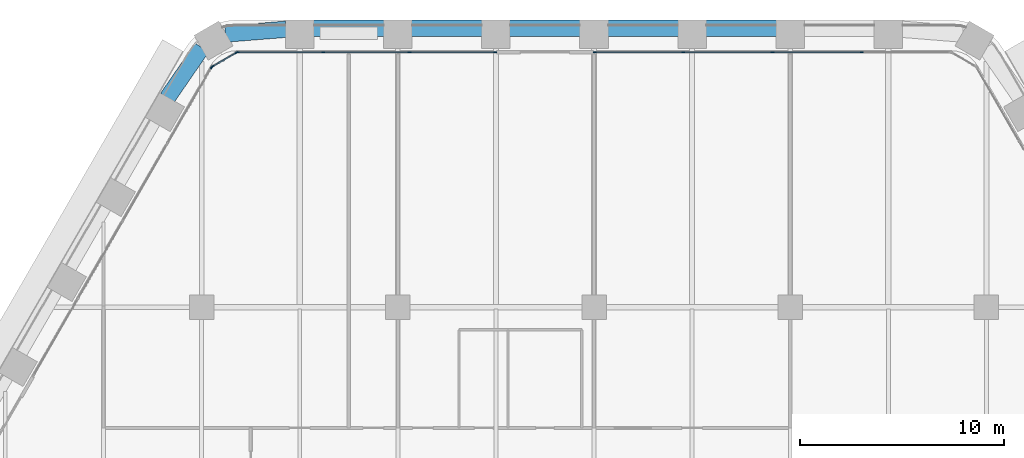
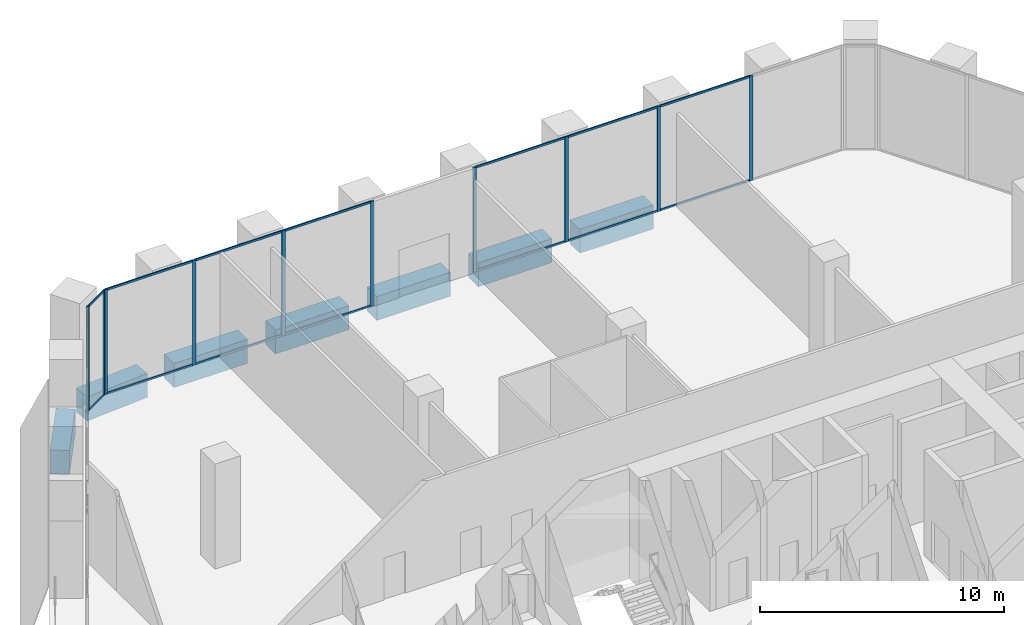
# One storey, part 13 of 27: 25 members, 7 beams, 4 elements without a shape of their own.
"""IFC4 building model written with IfcOpenShell, lengths in metres."""

from ifc_helpers import new_model, si_unit, direction, frame, origin, origin_2d, place, context, subcontext, project, spatial, rectangle, extrude, material, material_profile, profile_set, type_object, element, aggregate, save


model = new_model("IFC4")

# Units and contexts
model_context = context("Model", 3, precision=1e-05, world=origin(), true_north=direction((0.0, 1.0)))
body_context = subcontext(model_context, "Body", "Model", "MODEL_VIEW")
ifc_project = project(units=[si_unit("LENGTHUNIT", "METRE"), si_unit("AREAUNIT", "SQUARE_METRE"), si_unit("VOLUMEUNIT", "CUBIC_METRE"), si_unit("PLANEANGLEUNIT", "RADIAN"), si_unit("MASSUNIT", "GRAM", prefix="KILO")], contexts=[model_context])

# Site, building, storey
site_placement = place(None, origin())
site = spatial("IfcSite", under=ifc_project, at=site_placement, CompositionType="ELEMENT")
building_placement = place(site_placement, origin())
building = spatial("IfcBuilding", under=site, at=building_placement, Name="Kolab Exchange Tower", CompositionType="ELEMENT")
storey_placement = place(building_placement, frame((0.0, 0.0, 49.89990234375)))
storey = spatial("IfcBuildingStorey", under=building, at=storey_placement, Name="L09", CompositionType="ELEMENT", Elevation=49.89990234375)

# Beams
ifc_material_1 = material(Name="Concrete C80/95", Category="concrete")
ifc_material_profile_1 = material_profile(ifc_material_1, rectangle(XDim=0.800048828125, YDim=1.199951171875, at=origin_2d()), Name="RC800X1200")
ifc_profile_set_1 = profile_set([ifc_material_profile_1], Name="Concrete C80/95")
beam_type = type_object("IfcBeamType", Name="SPANDREL BEAM 800X1200 C80/95", PredefinedType="BEAM", material=ifc_profile_set_1)
beam_1_placement = place(storey_placement, frame((-18.03515625, 32.5654296875, -0.849853515625), z_axis=(0.996833978278, 0.07951112973, 0.0), x_axis=(-0.07951112973, 0.996833978278, 0.0)))
element("IfcBeam", 1, at=beam_1_placement, inside=storey, type_object=beam_type, Name="beam/L09/sp/F1-01", PredefinedType="BEAM", context=body_context, shape_type="SweptSolid", body=[
    extrude(rectangle(XDim=0.800048828125, YDim=1.199951171875, at=origin_2d()), origin(), (0.0, 0.0, 1.0), 2.984619140625),
])
for number, where, z_axis, x_axis, name in (
    (2, (-13.739990234375, 32.85546875, -0.849853515625), (1.0, 0.0, 0.0), (0.0, 1.0, 0.0), "beam/L09/sp/F1-02"),
    (3, (-8.93994140625, 32.85546875, -0.849853515625), (1.0, 0.0, 0.0), (0.0, 1.0, 0.0), "beam/L09/sp/F1-03"),
    (4, (-4.139892578125, 32.85546875, -0.849853515625), (1.0, 0.0, 0.0), (0.0, 1.0, 0.0), "beam/L09/sp/F1-04"),
    (5, (0.659912109375, 32.85546875, -0.849853515625), (1.0, 0.0, 0.0), (0.0, 1.0, 0.0), "beam/L09/sp/F1-05"),
    (6, (5.4599609375, 32.85546875, -0.849853515625), (1.0, 0.0, 0.0), (0.0, 1.0, 0.0), "beam/L09/sp/F1-06"),
):
    element("IfcBeam", number, at=place(storey_placement, frame(where, z_axis=z_axis, x_axis=x_axis)), inside=storey, type_object=beam_type, Name=name, PredefinedType="BEAM", context=body_context, shape_type="SweptSolid", body=[
        extrude(rectangle(XDim=0.800048828125, YDim=1.199951171875, at=origin_2d()), origin(), (0.0, 0.0, 1.0), 3.47998046875),
    ])
beam_2_placement = place(storey_placement, frame((-20.8779296875, 29.44384765625, -0.849853515625), z_axis=(0.567247290755, 0.823547516013, 0.0), x_axis=(-0.823547516013, 0.567247290755, 0.0)))
element("IfcBeam", 7, at=beam_2_placement, inside=storey, type_object=beam_type, Name="beam/L09/sp/F6-08", PredefinedType="BEAM", context=body_context, shape_type="SweptSolid", body=[
    extrude(rectangle(XDim=0.800048828125, YDim=1.199951171875, at=origin_2d()), origin(), (0.0, 0.0, 1.0), 2.984375),
])

# Curtain wall, members
ifc_material_2 = material(Name="Aluminium EN AW-6063 T6", Category="aluminium")
curtain_wall_type = type_object("IfcCurtainWallType", Name="UNITISED LOW ZONE CURTAIN WALL", PredefinedType="NOTDEFINED", material=ifc_material_2)
curtain_wall_1_placement = place(storey_placement, origin())
curtain_wall_1 = element("IfcCurtainWall", 8, at=curtain_wall_1_placement, inside=storey, type_object=curtain_wall_type, Name="cw/L09/F1-1", PredefinedType="NOTDEFINED")
ifc_material_profile_2 = material_profile(ifc_material_2, rectangle(XDim=0.06005859375, YDim=0.159912109375, at=origin_2d()), Name="RECT 60X160")
ifc_profile_set_2 = profile_set([ifc_material_profile_2], Name="Aluminium EN AW-6063 T6")
member_type_1 = type_object("IfcMemberType", Name="UNITISED LOW ZONE MULLION 60 X 160", PredefinedType="MULLION", material=ifc_profile_set_2)
member_1_placement = place(storey_placement, frame((-17.43798828125, 31.67529296875, 0.0), z_axis=(0.0, 0.0, 1.0), x_axis=(0.0, 1.0, 0.0)))
member_1 = element("IfcMember", 9, at=member_1_placement, type_object=member_type_1, Name="CW1 mullion 1", PredefinedType="MULLION", context=body_context, shape_type="SweptSolid", body=[
    extrude(rectangle(XDim=0.06005859375, YDim=0.159912109375, at=origin_2d()), origin(), (0.0, 0.0, 1.0), 5.25),
])
member_2_placement = place(storey_placement, frame((-13.245361328125, 31.67529296875, 0.0), z_axis=(0.0, 0.0, 1.0), x_axis=(0.0, 1.0, 0.0)))
member_2 = element("IfcMember", 10, at=member_2_placement, type_object=member_type_1, Name="CW1 mullion 2", PredefinedType="MULLION", context=body_context, shape_type="SweptSolid", body=[
    extrude(rectangle(XDim=0.06005859375, YDim=0.159912109375, at=origin_2d()), origin(), (0.0, 0.0, 1.0), 5.25),
])
member_3_placement = place(storey_placement, frame((-9.022705078125, 31.67529296875, 0.0), z_axis=(0.0, 0.0, 1.0), x_axis=(0.0, 1.0, 0.0)))
member_3 = element("IfcMember", 11, at=member_3_placement, type_object=member_type_1, Name="CW1 mullion 3", PredefinedType="MULLION", context=body_context, shape_type="SweptSolid", body=[
    extrude(rectangle(XDim=0.06005859375, YDim=0.159912109375, at=origin_2d()), origin(), (0.0, 0.0, 1.0), 5.25),
])
member_4_placement = place(storey_placement, frame((-4.830078125, 31.67529296875, 0.0), z_axis=(0.0, 0.0, 1.0), x_axis=(0.0, 1.0, 0.0)))
member_4 = element("IfcMember", 12, at=member_4_placement, type_object=member_type_1, Name="CW1 mullion 4", PredefinedType="MULLION", context=body_context, shape_type="SweptSolid", body=[
    extrude(rectangle(XDim=0.06005859375, YDim=0.159912109375, at=origin_2d()), origin(), (0.0, 0.0, 1.0), 5.25),
])

curtain_wall_2_placement = place(storey_placement, origin())
curtain_wall_2 = element("IfcCurtainWall", 13, at=curtain_wall_2_placement, inside=storey, type_object=curtain_wall_type, Name="cw/L09/F1-2", PredefinedType="NOTDEFINED")
member_5_placement = place(storey_placement, frame((0.030029296875, 31.67529296875, 0.0), z_axis=(0.0, 0.0, 1.0), x_axis=(0.0, 1.0, 0.0)))
member_5 = element("IfcMember", 14, at=member_5_placement, type_object=member_type_1, Name="CW1 mullion 1", PredefinedType="MULLION", context=body_context, shape_type="SweptSolid", body=[
    extrude(rectangle(XDim=0.06005859375, YDim=0.159912109375, at=origin_2d()), origin(), (0.0, 0.0, 1.0), 5.25),
])
member_6_placement = place(storey_placement, frame((4.366943359375, 31.67529296875, 0.0), z_axis=(0.0, 0.0, 1.0), x_axis=(0.0, 1.0, 0.0)))
member_6 = element("IfcMember", 15, at=member_6_placement, type_object=member_type_1, Name="CW1 mullion 2", PredefinedType="MULLION", context=body_context, shape_type="SweptSolid", body=[
    extrude(rectangle(XDim=0.06005859375, YDim=0.159912109375, at=origin_2d()), origin(), (0.0, 0.0, 1.0), 5.25),
])
member_7_placement = place(storey_placement, frame((8.73388671875, 31.67529296875, 0.0), z_axis=(0.0, 0.0, 1.0), x_axis=(0.0, 1.0, 0.0)))
member_7 = element("IfcMember", 16, at=member_7_placement, type_object=member_type_1, Name="CW1 mullion 3", PredefinedType="MULLION", context=body_context, shape_type="SweptSolid", body=[
    extrude(rectangle(XDim=0.06005859375, YDim=0.159912109375, at=origin_2d()), origin(), (0.0, 0.0, 1.0), 5.25),
])
member_8_placement = place(storey_placement, frame((13.10107421875, 31.67529296875, 0.0), z_axis=(0.0, 0.0, 1.0), x_axis=(0.0, 1.0, 0.0)))
member_8 = element("IfcMember", 17, at=member_8_placement, type_object=member_type_1, Name="CW1 mullion 4", PredefinedType="MULLION", context=body_context, shape_type="SweptSolid", body=[
    extrude(rectangle(XDim=0.06005859375, YDim=0.159912109375, at=origin_2d()), origin(), (0.0, 0.0, 1.0), 5.25),
])

# Curtain wall, member
curtain_wall_3_placement = place(storey_placement, origin())
curtain_wall_3 = element("IfcCurtainWall", 18, at=curtain_wall_3_placement, inside=storey, type_object=curtain_wall_type, Name="cw/L09/F6-2", PredefinedType="NOTDEFINED")
member_9_placement = place(storey_placement, frame((-18.712646484375, 30.939453125, 0.0), z_axis=(0.0, 0.0, 1.0), x_axis=(-0.866025397318, 0.5000000112, 0.0)))
member_9 = element("IfcMember", 19, at=member_9_placement, type_object=member_type_1, Name="CW1 mullion 5", PredefinedType="MULLION", context=body_context, shape_type="SweptSolid", body=[
    extrude(rectangle(XDim=0.06005859375, YDim=0.159912109375, at=origin_2d()), origin(), (0.0, 0.0, 1.0), 5.25),
])
aggregate(curtain_wall_3, [member_9])

# Curtain wall, members
curtain_wall_4_placement = place(storey_placement, origin())
curtain_wall_4 = element("IfcCurtainWall", 20, at=curtain_wall_4_placement, inside=storey, type_object=curtain_wall_type, Name="cw/L09/F6F1-corner", PredefinedType="NOTDEFINED")
member_10_placement = place(storey_placement, frame((-18.671630859375, 30.98046875, 0.0), z_axis=(0.0, 0.0, 1.0), x_axis=(-0.50000002237, 0.866025390869, 0.0)))
member_10 = element("IfcMember", 21, at=member_10_placement, type_object=member_type_1, Name="CW1 mullion 1", PredefinedType="MULLION", context=body_context, shape_type="SweptSolid", body=[
    extrude(rectangle(XDim=0.06005859375, YDim=0.159912109375, at=origin_2d()), origin(), (0.0, 0.0, 1.0), 5.25),
])
member_11_placement = place(storey_placement, frame((-17.493896484375, 31.660400390625, 0.0), z_axis=(0.0, 0.0, 1.0), x_axis=(-0.50000002237, 0.866025390869, 0.0)))
member_11 = element("IfcMember", 22, at=member_11_placement, type_object=member_type_1, Name="CW1 mullion 2", PredefinedType="MULLION", context=body_context, shape_type="SweptSolid", body=[
    extrude(rectangle(XDim=0.06005859375, YDim=0.159912109375, at=origin_2d()), origin(), (0.0, 0.0, 1.0), 5.25),
])

# Member
ifc_material_profile_3 = material_profile(ifc_material_2, rectangle(XDim=0.06005859375, YDim=0.10009765625, at=origin_2d()), Name="RECT 60X100")
ifc_profile_set_3 = profile_set([ifc_material_profile_3], Name="Aluminium EN AW-6063 T6")
member_type_2 = type_object("IfcMemberType", Name="UNITISED LOW ZONE TRANSOM 60 X 100", PredefinedType="USERDEFINED", material=ifc_profile_set_3)
member_12_placement = place(storey_placement, frame((-17.407958984375, 31.67529296875, 0.030029296875), z_axis=(1.0, 0.0, 0.0), x_axis=(0.0, 1.0, 0.0)))
member_12 = element("IfcMember", 23, at=member_12_placement, type_object=member_type_2, Name="CW1 transom 1.1", ObjectType="TRANSOM", PredefinedType="USERDEFINED", context=body_context, shape_type="SweptSolid", body=[
    extrude(rectangle(XDim=0.06005859375, YDim=0.10009765625, at=origin_2d()), origin(), (0.0, 0.0, 1.0), 4.132568359375),
])

member_13_placement = place(storey_placement, frame((-17.407958984375, 31.67529296875, 5.22021484375), z_axis=(1.0, 0.0, 0.0), x_axis=(0.0, 1.0, 0.0)))
member_13 = element("IfcMember", 24, at=member_13_placement, type_object=member_type_2, Name="CW1 transom 1.2", ObjectType="TRANSOM", PredefinedType="USERDEFINED", context=body_context, shape_type="SweptSolid", body=[
    extrude(rectangle(XDim=0.06005859375, YDim=0.10009765625, at=origin_2d()), origin(), (0.0, 0.0, 1.0), 4.132568359375),
])

member_14_placement = place(storey_placement, frame((-13.21533203125, 31.67529296875, 0.030029296875), z_axis=(1.0, 0.0, 0.0), x_axis=(0.0, 1.0, 0.0)))
member_14 = element("IfcMember", 25, at=member_14_placement, type_object=member_type_2, Name="CW1 transom 2.1", ObjectType="TRANSOM", PredefinedType="USERDEFINED", context=body_context, shape_type="SweptSolid", body=[
    extrude(rectangle(XDim=0.06005859375, YDim=0.10009765625, at=origin_2d()), origin(), (0.0, 0.0, 1.0), 4.16259765625),
])

member_15_placement = place(storey_placement, frame((-13.21533203125, 31.67529296875, 5.22021484375), z_axis=(1.0, 0.0, 0.0), x_axis=(0.0, 1.0, 0.0)))
member_15 = element("IfcMember", 26, at=member_15_placement, type_object=member_type_2, Name="CW1 transom 2.2", ObjectType="TRANSOM", PredefinedType="USERDEFINED", context=body_context, shape_type="SweptSolid", body=[
    extrude(rectangle(XDim=0.06005859375, YDim=0.10009765625, at=origin_2d()), origin(), (0.0, 0.0, 1.0), 4.16259765625),
])

member_16_placement = place(storey_placement, frame((-8.99267578125, 31.67529296875, 0.030029296875), z_axis=(1.0, 0.0, 0.0), x_axis=(0.0, 1.0, 0.0)))
member_16 = element("IfcMember", 27, at=member_16_placement, type_object=member_type_2, Name="CW1 transom 3.1", ObjectType="TRANSOM", PredefinedType="USERDEFINED", context=body_context, shape_type="SweptSolid", body=[
    extrude(rectangle(XDim=0.06005859375, YDim=0.10009765625, at=origin_2d()), origin(), (0.0, 0.0, 1.0), 4.132568359375),
])

member_17_placement = place(storey_placement, frame((-8.99267578125, 31.67529296875, 5.22021484375), z_axis=(1.0, 0.0, 0.0), x_axis=(0.0, 1.0, 0.0)))
member_17 = element("IfcMember", 28, at=member_17_placement, type_object=member_type_2, Name="CW1 transom 3.2", ObjectType="TRANSOM", PredefinedType="USERDEFINED", context=body_context, shape_type="SweptSolid", body=[
    extrude(rectangle(XDim=0.06005859375, YDim=0.10009765625, at=origin_2d()), origin(), (0.0, 0.0, 1.0), 4.132568359375),
])

aggregate(curtain_wall_1, [member_1, member_2, member_3, member_4, member_12, member_13, member_14, member_15, member_16, member_17])

member_18_placement = place(storey_placement, frame((0.06005859375, 31.67529296875, 0.030029296875), z_axis=(1.0, 0.0, 0.0), x_axis=(0.0, 1.0, 0.0)))
member_18 = element("IfcMember", 29, at=member_18_placement, type_object=member_type_2, Name="CW1 transom 1.1", ObjectType="TRANSOM", PredefinedType="USERDEFINED", context=body_context, shape_type="SweptSolid", body=[
    extrude(rectangle(XDim=0.06005859375, YDim=0.10009765625, at=origin_2d()), origin(), (0.0, 0.0, 1.0), 4.27685546875),
])

member_19_placement = place(storey_placement, frame((0.06005859375, 31.67529296875, 5.22021484375), z_axis=(1.0, 0.0, 0.0), x_axis=(0.0, 1.0, 0.0)))
member_19 = element("IfcMember", 30, at=member_19_placement, type_object=member_type_2, Name="CW1 transom 1.2", ObjectType="TRANSOM", PredefinedType="USERDEFINED", context=body_context, shape_type="SweptSolid", body=[
    extrude(rectangle(XDim=0.06005859375, YDim=0.10009765625, at=origin_2d()), origin(), (0.0, 0.0, 1.0), 4.27685546875),
])

member_20_placement = place(storey_placement, frame((4.39697265625, 31.67529296875, 0.030029296875), z_axis=(1.0, 0.0, 0.0), x_axis=(0.0, 1.0, 0.0)))
member_20 = element("IfcMember", 31, at=member_20_placement, type_object=member_type_2, Name="CW1 transom 2.1", ObjectType="TRANSOM", PredefinedType="USERDEFINED", context=body_context, shape_type="SweptSolid", body=[
    extrude(rectangle(XDim=0.06005859375, YDim=0.10009765625, at=origin_2d()), origin(), (0.0, 0.0, 1.0), 4.306884765625),
])

member_21_placement = place(storey_placement, frame((4.39697265625, 31.67529296875, 5.22021484375), z_axis=(1.0, 0.0, 0.0), x_axis=(0.0, 1.0, 0.0)))
member_21 = element("IfcMember", 32, at=member_21_placement, type_object=member_type_2, Name="CW1 transom 2.2", ObjectType="TRANSOM", PredefinedType="USERDEFINED", context=body_context, shape_type="SweptSolid", body=[
    extrude(rectangle(XDim=0.06005859375, YDim=0.10009765625, at=origin_2d()), origin(), (0.0, 0.0, 1.0), 4.306884765625),
])

member_22_placement = place(storey_placement, frame((8.763916015625, 31.67529296875, 0.030029296875), z_axis=(1.0, 0.0, 0.0), x_axis=(0.0, 1.0, 0.0)))
member_22 = element("IfcMember", 33, at=member_22_placement, type_object=member_type_2, Name="CW1 transom 3.1", ObjectType="TRANSOM", PredefinedType="USERDEFINED", context=body_context, shape_type="SweptSolid", body=[
    extrude(rectangle(XDim=0.06005859375, YDim=0.10009765625, at=origin_2d()), origin(), (0.0, 0.0, 1.0), 4.30712890625),
])

member_23_placement = place(storey_placement, frame((8.763916015625, 31.67529296875, 5.22021484375), z_axis=(1.0, 0.0, 0.0), x_axis=(0.0, 1.0, 0.0)))
member_23 = element("IfcMember", 34, at=member_23_placement, type_object=member_type_2, Name="CW1 transom 3.2", ObjectType="TRANSOM", PredefinedType="USERDEFINED", context=body_context, shape_type="SweptSolid", body=[
    extrude(rectangle(XDim=0.06005859375, YDim=0.10009765625, at=origin_2d()), origin(), (0.0, 0.0, 1.0), 4.30712890625),
])

aggregate(curtain_wall_2, [member_5, member_6, member_7, member_8, member_18, member_19, member_20, member_21, member_22, member_23])

member_24_placement = place(storey_placement, frame((-18.645751953125, 30.995361328125, 0.030029296875), z_axis=(0.86603858612, 0.49997716683, 0.0), x_axis=(-0.49997716683, 0.86603858612, 0.0)))
member_24 = element("IfcMember", 35, at=member_24_placement, type_object=member_type_2, Name="CW1 transom 1.1", ObjectType="TRANSOM", PredefinedType="USERDEFINED", context=body_context, shape_type="SweptSolid", body=[
    extrude(rectangle(XDim=0.06005859375, YDim=0.10009765625, at=origin_2d()), origin(), (0.0, 0.0, 1.0), 1.2998046875),
])

member_25_placement = place(storey_placement, frame((-18.645751953125, 30.995361328125, 5.22021484375), z_axis=(0.86603858612, 0.49997716683, 0.0), x_axis=(-0.49997716683, 0.86603858612, 0.0)))
member_25 = element("IfcMember", 36, at=member_25_placement, type_object=member_type_2, Name="CW1 transom 1.2", ObjectType="TRANSOM", PredefinedType="USERDEFINED", context=body_context, shape_type="SweptSolid", body=[
    extrude(rectangle(XDim=0.06005859375, YDim=0.10009765625, at=origin_2d()), origin(), (0.0, 0.0, 1.0), 1.2998046875),
])

aggregate(curtain_wall_4, [member_10, member_11, member_24, member_25])

save(model, "model.ifc")
